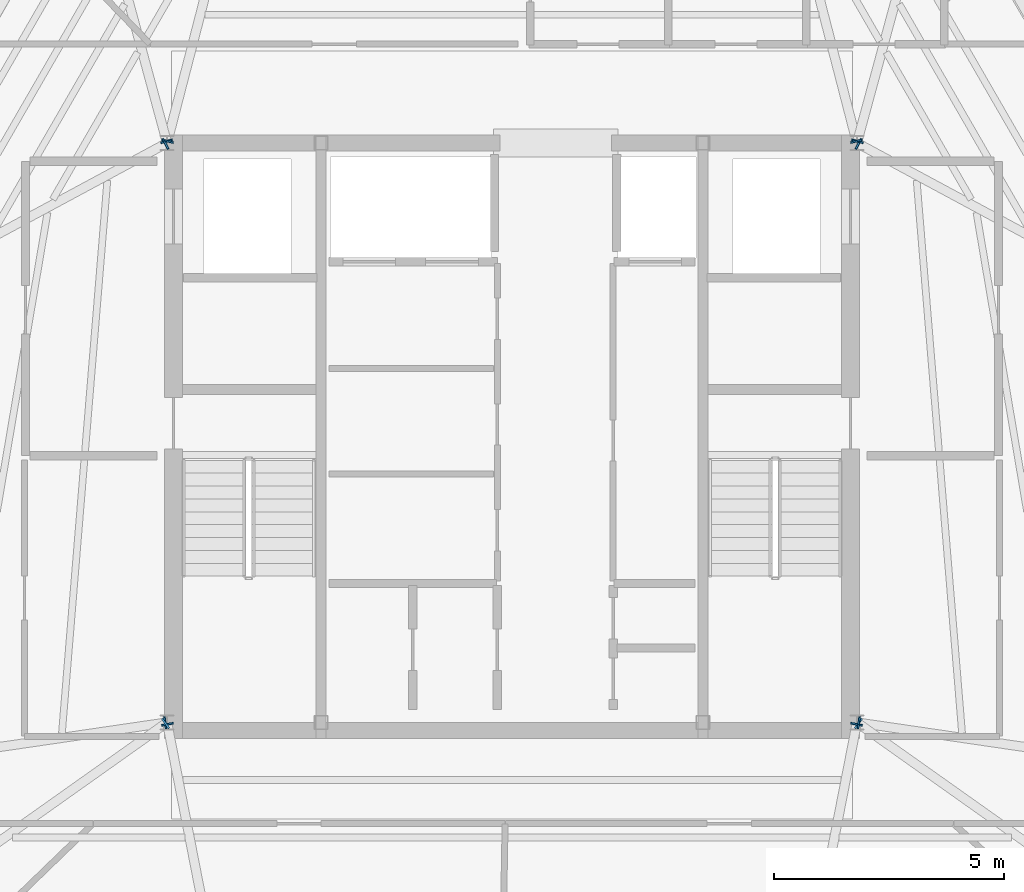
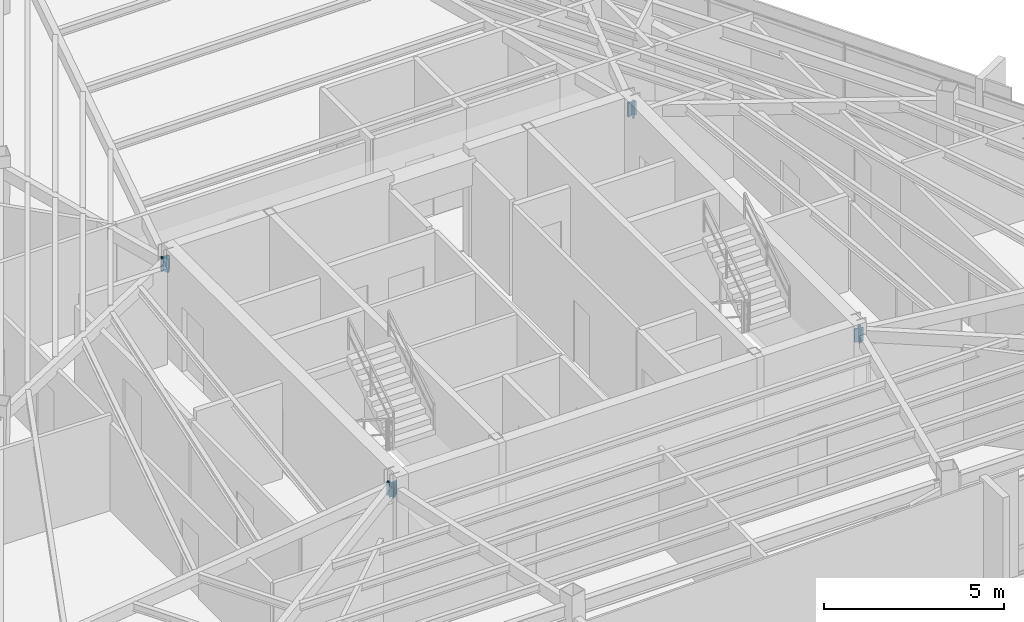
# One storey, part 39 of 44: 12 plates.
"""IFC4 building model written with IfcOpenShell, lengths in metres."""

from ifc_helpers import new_model, si_unit, direction, frame, origin, origin_2d, place, context, subcontext, project, spatial, rectangle, extrude, source, transform, mapped, material, layer, layer_set, type_object, type_shapes, element, save


model = new_model("IFC4")

# Units and contexts
model_context = context("Model", 3, precision=1e-05, world=origin(), true_north=direction((0.0, 1.0)))
body_context = subcontext(model_context, "Body", "Model", "MODEL_VIEW")
ifc_project = project(units=[si_unit("LENGTHUNIT", "METRE"), si_unit("AREAUNIT", "SQUARE_METRE"), si_unit("VOLUMEUNIT", "CUBIC_METRE"), si_unit("PLANEANGLEUNIT", "RADIAN"), si_unit("MASSUNIT", "GRAM", prefix="KILO")], contexts=[model_context])

# Site, building, storey
site_placement = place(None, origin())
site = spatial("IfcSite", under=ifc_project, at=site_placement, CompositionType="ELEMENT")
building_placement = place(site_placement, origin())
building = spatial("IfcBuilding", under=site, at=building_placement, Name="Caelisora Broadcast Tower", CompositionType="ELEMENT")
storey_placement = place(building_placement, frame((0.0, 0.0, 280.949951171875)))
storey = spatial("IfcBuildingStorey", under=building, at=storey_placement, Name="L74", CompositionType="ELEMENT", Elevation=280.949951171875)

# Plates
ifc_material = material(Name="Steel Grade 350 L15 (AS/NZS 3678)", Category="steel")
ifc_layer = layer(ifc_material, 0.0400390625, Name="Steel Grade 350 L15 (AS/NZS 3678)")
ifc_layer_set = layer_set([ifc_layer], Name="Steel Grade 350 L15 (AS/NZS 3678)")
plate_type = type_object("IfcPlateType", Name="GP04", PredefinedType="USERDEFINED", material=ifc_layer_set)
shared_shape = source(origin(), body_context, "Body", "SweptSolid", [
    extrude(rectangle(XDim=0.260009765625, YDim=0.0400390625, at=origin_2d()), origin(), (0.0, 0.0, 1.0), 0.4599609375),
])
type_shapes(plate_type, [shared_shape])
for number, where, z_axis, x_axis, name in (
    (1, (45.489990234375, 30.038818359375, 2.820068359375), (0.0, 0.0, 1.0), (-0.968103926078, -0.25054897388, 0.0), "L74 gusset plate GP04 (ND-RAD-L74-01)"),
    (2, (30.510009765625, 30.038818359375, 2.820068359375), (0.0, 0.0, 1.0), (-0.968103926078, 0.25054897388, 0.0), "L74 gusset plate GP04 (ND-RAD-L74-02)"),
    (3, (30.489501953125, 30.03857421875, 2.820068359375), (0.0, 0.0, 1.0), (-0.965107956967, -0.261852308371, 0.0), "L74 gusset plate GP04 (ND-RAD-L74-03)"),
    (4, (30.46484375, 29.98095703125, 2.820068359375), (0.0, 0.0, 1.0), (0.474395524734, -0.880311811867, 0.0), "L74 gusset plate GP04 (ND-RAD-L74-04)"),
    (5, (30.46044921875, 17.394287109375, 2.820068359375), (0.0, 0.0, 1.0), (0.144874295681, -0.9894500687, 0.0), "L74 gusset plate GP04 (ND-RAD-L74-05)"),
    (6, (30.46728515625, 17.376953125, 2.820068359375), (0.0, 0.0, 1.0), (0.578284873795, -0.815834912675, 0.0), "L74 gusset plate GP04 (ND-RAD-L74-06)"),
    (7, (30.5078125, 17.360595703125, 2.820068359375), (0.0, 0.0, 1.0), (0.98139333374, 0.192008136522, 0.0), "L74 gusset plate GP04 (ND-RAD-L74-07)"),
    (8, (45.4921875, 17.360595703125, 2.820068359375), (0.0, 0.0, 1.0), (0.98139333374, -0.192008136522, 0.0), "L74 gusset plate GP04 (ND-RAD-L74-08)"),
    (9, (45.53271484375, 17.376953125, 2.820068359375), (0.0, 0.0, 1.0), (0.578284873795, 0.815834912675, 0.0), "L74 gusset plate GP04 (ND-RAD-L74-09)"),
    (10, (45.53955078125, 17.394287109375, 2.820068359375), (0.0, 0.0, 1.0), (0.144874295681, 0.9894500687, 0.0), "L74 gusset plate GP04 (ND-RAD-L74-10)"),
    (11, (45.53515625, 29.98095703125, 2.820068359375), (0.0, 0.0, 1.0), (0.474395524734, 0.880311811867, 0.0), "L74 gusset plate GP04 (ND-RAD-L74-11)"),
    (12, (45.510498046875, 30.03857421875, 2.820068359375), (0.0, 0.0, 1.0), (-0.965107956967, 0.261852308371, 0.0), "L74 gusset plate GP04 (ND-RAD-L74-12)"),
):
    element("IfcPlate", number, at=place(storey_placement, frame(where, z_axis=z_axis, x_axis=x_axis)), inside=storey, type_object=plate_type, Name=name, ObjectType="GUSSET PLATE", PredefinedType="USERDEFINED", context=body_context, shape_type="MappedRepresentation", body=[
        mapped(shared_shape, transform((0.0, 0.0, 0.0), scale=1.0)),
    ])

save(model, "model.ifc")
